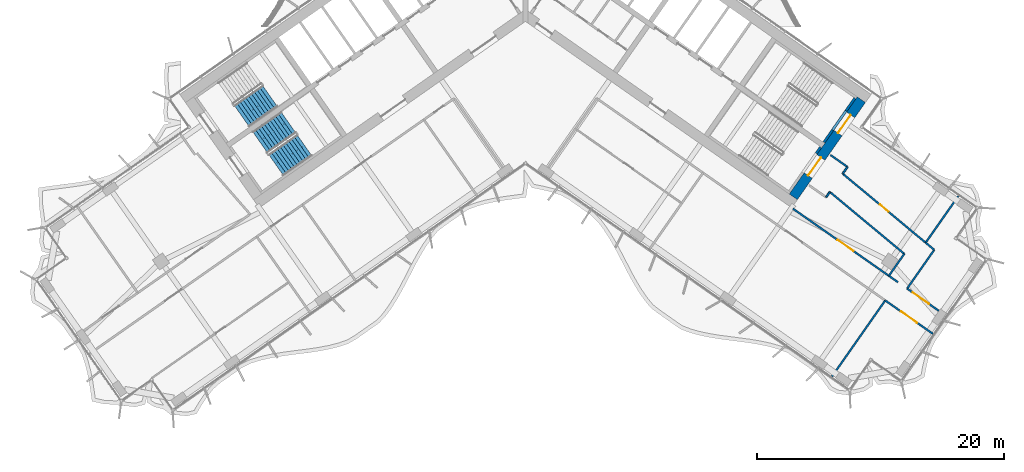
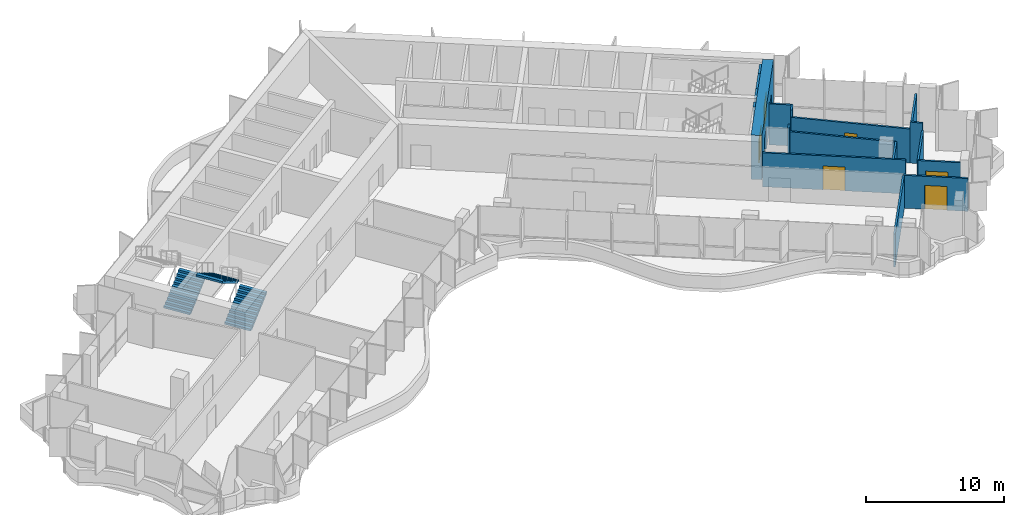
# One storey, part 15 of 21: 18 walls, 6 doors, 3 stair flights, 6 openings, 2 elements without a shape of their own.
"""IFC4 building model written with IfcOpenShell, lengths in metres."""

from ifc_helpers import new_model, si_unit, direction, frame, frame_2d, origin, place, context, subcontext, project, spatial, polyline, rectangle, outline, extrude, material, layer, layer_set, type_object, element, fill, aggregate, save


model = new_model("IFC4")

# Units and contexts
model_context = context("Model", 3, precision=1e-05, world=origin(), true_north=direction((0.0, 1.0)))
body_context = subcontext(model_context, "Body", "Model", "MODEL_VIEW")
ifc_project = project(units=[si_unit("LENGTHUNIT", "METRE"), si_unit("AREAUNIT", "SQUARE_METRE"), si_unit("VOLUMEUNIT", "CUBIC_METRE"), si_unit("PLANEANGLEUNIT", "RADIAN"), si_unit("MASSUNIT", "GRAM", prefix="KILO")], contexts=[model_context])

# Site, building, storey
site_placement = place(None, origin())
site = spatial("IfcSite", under=ifc_project, at=site_placement, CompositionType="ELEMENT")
building_placement = place(site_placement, origin())
building = spatial("IfcBuilding", under=site, at=building_placement, Name="Tel Ilan Convention Tower", CompositionType="ELEMENT")
storey_placement = place(building_placement, frame((0.0, 0.0, 155.39990234375)))
storey = spatial("IfcBuildingStorey", under=building, at=storey_placement, Name="L35", CompositionType="ELEMENT", Elevation=155.39990234375)

# Wall, openings, doors
ifc_material_1 = material(Name="Concrete C50/60", Category="concrete")
ifc_layer_1 = layer(ifc_material_1, 0.800048828125)
ifc_layer_set_1 = layer_set([ifc_layer_1], Name="Core Shear Wall 800 mm C50/60")
wall_type_1 = type_object("IfcWallType", Name="Core Shear Wall 800 mm C50/60", PredefinedType="SHEAR", material=ifc_layer_set_1)
wall_1_placement = place(storey_placement, frame((21.6748046875, -15.4208984375, 0.0), z_axis=(0.0, 0.0, 1.0), x_axis=(0.573581815061, 0.819148278049, 0.0)))
wall_1 = element("IfcWall", 1, at=wall_1_placement, inside=storey, type_object=wall_type_1, Name="L35 core wall E-end", PredefinedType="SHEAR", context=body_context, shape_type="SweptSolid", body=[
    extrude(outline(polyline([(9.599853515625, 0.400146484375), (0.0, 0.39990234375), (0.0, -0.39990234375), (9.599853515625, -0.39990234375), (9.599853515625, 0.400146484375)])), origin(), (0.0, 0.0, 1.0), 3.900146484375),
])
opening_1_placement = place(wall_1_placement, frame((6.300048828125, 0.0, 0.0)))
opening_1 = element("IfcOpeningElement", 2, at=opening_1_placement, cuts=wall_1, Name="Opening SD2703", PredefinedType="OPENING", context=body_context, shape_type="SweptSolid", body=[
    extrude(rectangle(XDim=1.800048828125, YDim=2.10009765625, at=frame_2d((0.89990234375, 1.050048828125))), frame((0.0, 0.409912109375, 0.0), z_axis=(0.0, -1.0, 0.0), x_axis=(1.0, 0.0, 0.0)), (0.0, 0.0, 1.0), 0.820068359375),
])
opening_2_placement = place(wall_1_placement, frame((2.10009765625, 0.0, 0.0)))
opening_2 = element("IfcOpeningElement", 3, at=opening_2_placement, cuts=wall_1, Name="Opening SD2704", PredefinedType="OPENING", context=body_context, shape_type="SweptSolid", body=[
    extrude(rectangle(XDim=1.800048828125, YDim=2.10009765625, at=frame_2d((0.89990234375, 1.050048828125))), frame((0.0, 0.409912109375, 0.0), z_axis=(0.0, -1.0, 0.0), x_axis=(1.0, 0.0, 0.0)), (0.0, 0.0, 1.0), 0.820068359375),
])
ifc_material_2 = material(Name="Galvanised Steel Door Leaf", Category="steel")
door_type_1 = type_object("IfcDoorType", Name="Stair Fire Door 1800 x 2100 FD60S", OperationType="NOTDEFINED", PredefinedType="DOOR", material=ifc_material_2)
door_1_placement = place(opening_1_placement, origin())
door_1 = element("IfcDoor", 4, at=door_1_placement, inside=storey, type_object=door_type_1, Name="Stair S3 door", OperationType="DOUBLE_DOOR_SINGLE_SWING", OverallHeight=2.10009765625, OverallWidth=1.800048828125, PredefinedType="DOOR", context=body_context, shape_type="SweptSolid", body=[
    extrude(rectangle(XDim=1.800048828125, YDim=2.10009765625, at=frame_2d((0.89990234375, 1.050048828125))), frame((0.0, 0.02490234375, 0.0), z_axis=(0.0, -1.0, 0.0), x_axis=(1.0, 0.0, 0.0)), (0.0, 0.0, 1.0), 0.050048828125),
])
fill(opening_1, door_1)
door_2_placement = place(opening_2_placement, origin())
door_2 = element("IfcDoor", 5, at=door_2_placement, inside=storey, type_object=door_type_1, Name="Stair S4 door", OperationType="DOUBLE_DOOR_SINGLE_SWING", OverallHeight=2.10009765625, OverallWidth=1.800048828125, PredefinedType="DOOR", context=body_context, shape_type="SweptSolid", body=[
    extrude(rectangle(XDim=1.800048828125, YDim=2.10009765625, at=frame_2d((0.89990234375, 1.050048828125))), frame((0.0, 0.02490234375, 0.0), z_axis=(0.0, -1.0, 0.0), x_axis=(1.0, 0.0, 0.0)), (0.0, 0.0, 1.0), 0.050048828125),
])
fill(opening_2, door_2)

# Wall, opening, door
ifc_material_3 = material(Name="Plasterboard on Steel Studs", Category="steel")
ifc_layer_2 = layer(ifc_material_3, 0.14990234375)
ifc_layer_set_2 = layer_set([ifc_layer_2], Name="Fire-rated Partition 150 EI 60")
wall_type_2 = type_object("IfcWallType", Name="Fire-rated Partition 150 EI 60", PredefinedType="PARTITIONING", material=ifc_layer_set_2)
wall_2_placement = place(storey_placement, frame((21.641845703125, -16.37451171875, 0.0), z_axis=(0.0, 0.0, 1.0), x_axis=(0.81915236897, -0.573575972658, 0.0)))
wall_2 = element("IfcWall", 6, at=wall_2_placement, inside=storey, type_object=wall_type_2, Name="Partition 001", PredefinedType="PARTITIONING", context=body_context, shape_type="SweptSolid", body=[
    extrude(rectangle(XDim=10.3818359375, YDim=0.14990234375, at=frame_2d((5.19091796875, 0.0))), origin(), (0.0, 0.0, 1.0), 3.0),
])
opening_3_placement = place(wall_2_placement, frame((4.39111328125, 0.0, 0.0)))
opening_3 = element("IfcOpeningElement", 7, at=opening_3_placement, cuts=wall_2, Name="Opening L33-012", PredefinedType="OPENING", context=body_context, shape_type="SweptSolid", body=[
    extrude(rectangle(XDim=1.60009765625, YDim=2.10009765625, at=frame_2d((0.800048828125, 1.050048828125))), frame((0.0, 0.0849609375, 0.0), z_axis=(0.0, -1.0, 0.0), x_axis=(1.0, 0.0, 0.0)), (0.0, 0.0, 1.0), 0.169921875),
])
ifc_material_4 = material(Name="Timber Door Leaf in Steel Frame", Category="steel")
door_type_2 = type_object("IfcDoorType", Name="Tenant Suite Entrance Fire Door 1600x2100", OperationType="NOTDEFINED", PredefinedType="DOOR", material=ifc_material_4)
door_3_placement = place(opening_3_placement, origin())
door_3 = element("IfcDoor", 8, at=door_3_placement, inside=storey, type_object=door_type_2, Name="Door L33-012", OperationType="DOUBLE_DOOR_SINGLE_SWING", OverallHeight=2.10009765625, OverallWidth=1.60009765625, PredefinedType="DOOR", context=body_context, shape_type="SweptSolid", body=[
    extrude(rectangle(XDim=1.60009765625, YDim=2.10009765625, at=frame_2d((0.800048828125, 1.050048828125))), frame((0.0, 0.02490234375, 0.0), z_axis=(0.0, -1.0, 0.0), x_axis=(1.0, 0.0, 0.0)), (0.0, 0.0, 1.0), 0.050048828125),
])
fill(opening_3, door_3)

wall_3_placement = place(storey_placement, frame((30.880126953125, -22.84326171875, 0.0), z_axis=(0.0, 0.0, 1.0), x_axis=(0.819133037421, -0.573603580015, 0.0)))
wall_3 = element("IfcWall", 9, at=wall_3_placement, inside=storey, type_object=wall_type_2, Name="Partition 002", PredefinedType="PARTITIONING", context=body_context, shape_type="SweptSolid", body=[
    extrude(rectangle(XDim=3.132080078125, YDim=0.14990234375, at=frame_2d((1.56591796875, 0.0))), origin(), (0.0, 0.0, 1.0), 3.0),
])
opening_4_placement = place(wall_3_placement, frame((0.56591796875, 0.0, 0.0)))
opening_4 = element("IfcOpeningElement", 10, at=opening_4_placement, cuts=wall_3, Name="Opening L33-013", PredefinedType="OPENING", context=body_context, shape_type="SweptSolid", body=[
    extrude(rectangle(XDim=1.60009765625, YDim=2.10009765625, at=frame_2d((0.800048828125, 1.050048828125))), frame((0.0, 0.0849609375, 0.0), z_axis=(0.0, -1.0, 0.0), x_axis=(1.0, 0.0, 0.0)), (0.0, 0.0, 1.0), 0.169921875),
])
door_4_placement = place(opening_4_placement, origin())
door_4 = element("IfcDoor", 11, at=door_4_placement, inside=storey, type_object=door_type_2, Name="Door L33-013", OperationType="DOUBLE_DOOR_SINGLE_SWING", OverallHeight=2.10009765625, OverallWidth=1.60009765625, PredefinedType="DOOR", context=body_context, shape_type="SweptSolid", body=[
    extrude(rectangle(XDim=1.60009765625, YDim=2.10009765625, at=frame_2d((0.800048828125, 1.050048828125))), frame((0.0, 0.02490234375, 0.0), z_axis=(0.0, -1.0, 0.0), x_axis=(1.0, 0.0, 0.0)), (0.0, 0.0, 1.0), 0.050048828125),
])
fill(opening_4, door_4)

wall_4_placement = place(storey_placement, frame((32.962158203125, -26.49853515625, 0.0), z_axis=(0.0, 0.0, 1.0), x_axis=(-0.819139214842, 0.573594758263, 0.0)))
wall_4 = element("IfcWall", 12, at=wall_4_placement, inside=storey, type_object=wall_type_2, Name="Partition 005", PredefinedType="PARTITIONING", context=body_context, shape_type="SweptSolid", body=[
    extrude(rectangle(XDim=4.701904296875, YDim=0.14990234375, at=frame_2d((2.35107421875, 0.0))), origin(), (0.0, 0.0, 1.0), 2.900146484375),
])
opening_5_placement = place(wall_4_placement, frame((1.551025390625, 0.0, 0.0)))
opening_5 = element("IfcOpeningElement", 13, at=opening_5_placement, cuts=wall_4, Name="Opening L33-011", PredefinedType="OPENING", context=body_context, shape_type="SweptSolid", body=[
    extrude(rectangle(XDim=1.60009765625, YDim=2.10009765625, at=frame_2d((0.800048828125, 1.050048828125))), frame((0.0, 0.0849609375, 0.0), z_axis=(0.0, -1.0, 0.0), x_axis=(1.0, 0.0, 0.0)), (0.0, 0.0, 1.0), 0.169921875),
])
door_5_placement = place(opening_5_placement, origin())
door_5 = element("IfcDoor", 14, at=door_5_placement, inside=storey, type_object=door_type_2, Name="Door L33-011", OperationType="DOUBLE_DOOR_SINGLE_SWING", OverallHeight=2.10009765625, OverallWidth=1.60009765625, PredefinedType="DOOR", context=body_context, shape_type="SweptSolid", body=[
    extrude(rectangle(XDim=1.60009765625, YDim=2.10009765625, at=frame_2d((0.800048828125, 1.050048828125))), frame((0.0, 0.02490234375, 0.0), z_axis=(0.0, -1.0, 0.0), x_axis=(1.0, 0.0, 0.0)), (0.0, 0.0, 1.0), 0.050048828125),
])
fill(opening_5, door_5)

# Wall
wall_5_placement = place(storey_placement, frame((35.02001953125, -15.365478515625, 0.0), z_axis=(0.0, 0.0, 1.0), x_axis=(-0.573604943476, -0.819132082646, 0.0)))
element("IfcWall", 15, at=wall_5_placement, inside=storey, type_object=wall_type_2, Name="Partition 012", PredefinedType="PARTITIONING", context=body_context, shape_type="SweptSolid", body=[
    extrude(rectangle(XDim=4.595947265625, YDim=0.14990234375, at=frame_2d((2.2978515625, 0.0))), origin(), (0.0, 0.0, 1.0), 2.900146484375),
])

# Wall, opening, door
wall_6_placement = place(storey_placement, frame((32.3837890625, -19.130126953125, 0.0), z_axis=(0.0, 0.0, 1.0), x_axis=(-0.768750532262, 0.639548762134, 0.0)))
wall_6 = element("IfcWall", 16, at=wall_6_placement, inside=storey, type_object=wall_type_2, Name="Partition 013", PredefinedType="PARTITIONING", context=body_context, shape_type="SweptSolid", body=[
    extrude(rectangle(XDim=8.72998046875, YDim=0.14990234375, at=frame_2d((4.364990234375, 0.0))), origin(), (0.0, 0.0, 1.0), 3.0),
])
opening_6_placement = place(wall_6_placement, frame((3.9150390625, 0.0, 0.0)))
opening_6 = element("IfcOpeningElement", 17, at=opening_6_placement, cuts=wall_6, Name="Opening L33-014", PredefinedType="OPENING", context=body_context, shape_type="SweptSolid", body=[
    extrude(rectangle(XDim=0.89990234375, YDim=2.10009765625, at=frame_2d((0.449951171875, 1.050048828125))), frame((0.0, 0.0849609375, 0.0), z_axis=(0.0, -1.0, 0.0), x_axis=(1.0, 0.0, 0.0)), (0.0, 0.0, 1.0), 0.169921875),
])
ifc_material_5 = material(Name="Timber Door Leaf in Steel Frame", Category="steel")
door_type_3 = type_object("IfcDoorType", Name="Room Fire Door 900x2100", OperationType="NOTDEFINED", PredefinedType="DOOR", material=ifc_material_5)
door_6_placement = place(opening_6_placement, origin())
door_6 = element("IfcDoor", 18, at=door_6_placement, inside=storey, type_object=door_type_3, Name="Door L33-014", OperationType="SINGLE_SWING_RIGHT", OverallHeight=2.10009765625, OverallWidth=0.89990234375, PredefinedType="DOOR", context=body_context, shape_type="SweptSolid", body=[
    extrude(rectangle(XDim=0.89990234375, YDim=2.10009765625, at=frame_2d((0.449951171875, 1.050048828125))), frame((0.0, 0.02490234375, 0.0), z_axis=(0.0, -1.0, 0.0), x_axis=(1.0, 0.0, 0.0)), (0.0, 0.0, 1.0), 0.050048828125),
])
fill(opening_6, door_6)

# Walls
wall_7_placement = place(storey_placement, frame((25.672607421875, -13.546875, 0.0), z_axis=(0.0, 0.0, 1.0), x_axis=(0.573511127478, 0.819197770175, 0.0)))
element("IfcWall", 19, at=wall_7_placement, inside=storey, type_object=wall_type_2, Name="Partition 014", PredefinedType="PARTITIONING", context=body_context, shape_type="SweptSolid", body=[
    extrude(rectangle(XDim=0.671630859375, YDim=0.14990234375, at=frame_2d((0.3359375, 0.0))), origin(), (0.0, 0.0, 1.0), 3.6201171875),
])
wall_8_placement = place(storey_placement, frame((26.057861328125, -12.99658203125, 0.0), z_axis=(0.0, 0.0, 1.0), x_axis=(-0.819109000826, 0.573637903879, 0.0)))
element("IfcWall", 20, at=wall_8_placement, inside=storey, type_object=wall_type_2, Name="Partition 015", PredefinedType="PARTITIONING", context=body_context, shape_type="SweptSolid", body=[
    extrude(rectangle(XDim=1.679931640625, YDim=0.14990234375, at=frame_2d((0.83984375, 0.0))), origin(), (0.0, 0.0, 1.0), 3.6201171875),
])
wall_9_placement = place(storey_placement, frame((24.337158203125, -15.4541015625, 0.0), z_axis=(0.0, 0.0, 1.0), x_axis=(0.573870335358, 0.818946175396, 0.0)))
element("IfcWall", 21, at=wall_9_placement, inside=storey, type_object=wall_type_2, Name="Partition 017", PredefinedType="PARTITIONING", context=body_context, shape_type="SweptSolid", body=[
    extrude(rectangle(XDim=0.52197265625, YDim=0.14990234375, at=frame_2d((0.260986328125, 0.0))), origin(), (0.0, 0.0, 1.0), 3.6201171875),
])
wall_10_placement = place(storey_placement, frame((24.63671875, -15.026611328125, 0.0), z_axis=(0.0, 0.0, 1.0), x_axis=(0.768763032688, -0.639533736071, 0.0)))
element("IfcWall", 22, at=wall_10_placement, inside=storey, type_object=wall_type_2, Name="Partition 018", PredefinedType="PARTITIONING", context=body_context, shape_type="SweptSolid", body=[
    extrude(rectangle(XDim=7.826904296875, YDim=0.14990234375, at=frame_2d((3.91357421875, 0.0))), origin(), (0.0, 0.0, 1.0), 3.0),
])
wall_11_placement = place(storey_placement, frame((30.65380859375, -20.0322265625, 0.0), z_axis=(0.0, 0.0, 1.0), x_axis=(-0.573613157475, -0.819126330655, 0.0)))
element("IfcWall", 23, at=wall_11_placement, inside=storey, type_object=wall_type_2, Name="Partition 019", PredefinedType="PARTITIONING", context=body_context, shape_type="SweptSolid", body=[
    extrude(rectangle(XDim=2.1728515625, YDim=0.14990234375, at=frame_2d((1.08642578125, 0.0))), origin(), (0.0, 0.0, 1.0), 3.0),
])
wall_12_placement = place(storey_placement, frame((30.8818359375, -22.844482421875, 0.0), z_axis=(0.0, 0.0, 1.0), x_axis=(0.573565036961, 0.819160026109, 0.0)))
element("IfcWall", 24, at=wall_12_placement, inside=storey, type_object=wall_type_2, Name="Partition 021", PredefinedType="PARTITIONING", context=body_context, shape_type="SweptSolid", body=[
    extrude(rectangle(XDim=3.8291015625, YDim=0.14990234375, at=frame_2d((1.91455078125, 0.0))), origin(), (0.0, 0.0, 1.0), 3.0),
])
wall_13_placement = place(storey_placement, frame((33.078125, -19.707763671875, 0.0), z_axis=(0.0, 0.0, 1.0), x_axis=(-0.768752765825, 0.639546077336, 0.0)))
element("IfcWall", 25, at=wall_13_placement, inside=storey, type_object=wall_type_2, Name="Partition 022", PredefinedType="PARTITIONING", context=body_context, shape_type="SweptSolid", body=[
    extrude(rectangle(XDim=0.903076171875, YDim=0.14990234375, at=frame_2d((0.45166015625, 0.0))), origin(), (0.0, 0.0, 1.0), 3.6201171875),
])
wall_14_placement = place(storey_placement, frame((29.1123046875, -23.802734375, 0.0), z_axis=(0.0, 0.0, 1.0), x_axis=(-0.573597787563, -0.819137093595, 0.0)))
element("IfcWall", 26, at=wall_14_placement, inside=storey, type_object=wall_type_2, Name="Partition 028", PredefinedType="PARTITIONING", context=body_context, shape_type="SweptSolid", body=[
    extrude(rectangle(XDim=7.5, YDim=0.14990234375, at=frame_2d((3.75, 0.0))), origin(), (0.0, 0.0, 1.0), 2.900146484375),
])
ifc_material_6 = material(Name="Concrete C30/37", Category="concrete")
ifc_layer_3 = layer(ifc_material_6, 0.199951171875)
ifc_layer_set_3 = layer_set([ifc_layer_3], Name="Stair and Shaft Lining Wall 200 mm C30/37")
wall_type_3 = type_object("IfcWallType", Name="Stair and Shaft Lining Wall 200 mm C30/37", PredefinedType="SOLIDWALL", material=ifc_layer_set_3)
wall_15_placement = place(storey_placement, frame((24.16162109375, -10.99755859375, 0.0), z_axis=(0.0, 0.0, 1.0), x_axis=(0.573612502218, 0.819126789514, 0.0)))
element("IfcWall", 27, at=wall_15_placement, inside=storey, type_object=wall_type_3, Name="L35 core wall lining-S3-u1-0", PredefinedType="SOLIDWALL", context=body_context, shape_type="SweptSolid", body=[
    extrude(rectangle(XDim=1.2001953125, YDim=0.199951171875, at=frame_2d((0.60009765625, 0.0))), origin(), (0.0, 0.0, 1.0), 3.6201171875),
])
wall_16_placement = place(storey_placement, frame((25.939697265625, -8.4580078125, 0.0), z_axis=(0.0, 0.0, 1.0), x_axis=(0.573619628835, 0.819121798889, 0.0)))
element("IfcWall", 28, at=wall_16_placement, inside=storey, type_object=wall_type_3, Name="L35 core wall lining-S3-u1-1", PredefinedType="SOLIDWALL", context=body_context, shape_type="SweptSolid", body=[
    extrude(rectangle(XDim=1.25, YDim=0.199951171875, at=frame_2d((0.625, 0.0))), origin(), (0.0, 0.0, 1.0), 3.6201171875),
])
wall_17_placement = place(storey_placement, frame((24.85009765625, -10.014404296875, 2.150146484375), z_axis=(0.0, 0.0, 1.0), x_axis=(0.573505465124, 0.819201734296, 0.0)))
element("IfcWall", 29, at=wall_17_placement, inside=storey, type_object=wall_type_3, Name="L35 core wall lining-S3-u1-lintel", PredefinedType="SOLIDWALL", context=body_context, shape_type="SweptSolid", body=[
    extrude(rectangle(XDim=1.89990234375, YDim=0.199951171875, at=frame_2d((0.949951171875, 0.0))), origin(), (0.0, 0.0, 1.0), 1.469970703125),
])
wall_18_placement = place(storey_placement, frame((23.53076171875, -11.8984375, 0.0), z_axis=(0.0, 0.0, 1.0), x_axis=(0.573708088123, 0.819059844958, 0.0)))
element("IfcWall", 30, at=wall_18_placement, inside=storey, type_object=wall_type_3, Name="L35 core wall lining-S4-u1-1", PredefinedType="SOLIDWALL", context=body_context, shape_type="SweptSolid", body=[
    extrude(rectangle(XDim=0.60009765625, YDim=0.199951171875, at=frame_2d((0.300048828125, 0.0))), origin(), (0.0, 0.0, 1.0), 3.6201171875),
])

# Stair, stair flight
ifc_material_7 = material(Name="Concrete C40/50", Category="concrete")
stair_type = type_object("IfcStairType", Name="Pressurised Exit Stair 22 risers 177 mm", PredefinedType="HALF_TURN_STAIR", material=ifc_material_7)
stair_1_placement = place(storey_placement, origin())
stair_1 = element("IfcStair", 31, at=stair_1_placement, inside=storey, type_object=stair_type, Name="L35 Pressurised Stair S1", PredefinedType="HALF_TURN_STAIR")
ifc_material_8 = material(Name="Precast Concrete C40/50", Category="concrete")
stair_flight_type = type_object("IfcStairFlightType", Name="Concrete Stair Flight 2100 mm 22 risers 177 mm", PredefinedType="STRAIGHT", material=ifc_material_8)
stair_flight_1_placement = place(storey_placement, frame((-22.9619140625, -8.87548828125, 0.0), z_axis=(0.0, 0.0, 1.0), x_axis=(0.819152044289, 0.573576436351, 0.0)))
stair_flight_1 = element("IfcStairFlight", 32, at=stair_flight_1_placement, type_object=stair_flight_type, Name="S1 flight 1", NumberOfRisers=11, NumberOfTreads=10, PredefinedType="STRAIGHT", RiserHeight=0.177272727, TreadLength=0.28, context=body_context, shape_type="SweptSolid", body=[
    extrude(outline(polyline([(0.0, 0.0), (0.0, 0.17724609375), (0.280029296875, 0.17724609375), (0.280029296875, 0.3544921875), (0.56005859375, 0.3544921875), (0.56005859375, 0.53173828125), (0.840087890625, 0.53173828125), (0.840087890625, 0.708984375), (1.1201171875, 0.708984375), (1.1201171875, 0.886474609375), (1.39990234375, 0.886474609375), (1.39990234375, 1.063720703125), (1.679931640625, 1.063720703125), (1.679931640625, 1.240966796875), (1.9599609375, 1.240966796875), (1.9599609375, 1.418212890625), (2.239990234375, 1.418212890625), (2.239990234375, 1.595458984375), (2.52001953125, 1.595458984375), (2.52001953125, 1.772705078125), (2.800048828125, 1.772705078125), (2.800048828125, 1.949951171875), (2.800048828125, 1.59521484375), (0.2802734375, 0.0), (0.0, 0.0)])), frame((0.0, -0.100341796875, 0.0), z_axis=(0.0, -1.0, 0.0), x_axis=(1.0, 0.0, 0.0)), (0.0, 0.0, 1.0), 0.94970703125),
    extrude(outline(polyline([(0.0, 0.0), (0.0, 0.17724609375), (0.280029296875, 0.17724609375), (0.280029296875, 0.3544921875), (0.56005859375, 0.3544921875), (0.56005859375, 0.53173828125), (0.840087890625, 0.53173828125), (0.840087890625, 0.708984375), (1.1201171875, 0.708984375), (1.1201171875, 0.886474609375), (1.39990234375, 0.886474609375), (1.39990234375, 1.063720703125), (1.679931640625, 1.063720703125), (1.679931640625, 1.240966796875), (1.9599609375, 1.240966796875), (1.9599609375, 1.418212890625), (2.239990234375, 1.418212890625), (2.239990234375, 1.595458984375), (2.52001953125, 1.595458984375), (2.52001953125, 1.772705078125), (2.800048828125, 1.772705078125), (2.800048828125, 1.949951171875), (2.800048828125, 1.59521484375), (0.2802734375, 0.0), (0.0, 0.0)])), frame((0.0, -0.000244140625, 0.0), z_axis=(0.0, -1.0, 0.0), x_axis=(1.0, 0.0, 0.0)), (0.0, 0.0, 1.0), 0.099609375),
    extrude(outline(polyline([(0.0, 0.0), (0.0, 0.17724609375), (0.280029296875, 0.17724609375), (0.280029296875, 0.3544921875), (0.56005859375, 0.3544921875), (0.56005859375, 0.53173828125), (0.840087890625, 0.53173828125), (0.840087890625, 0.708984375), (1.1201171875, 0.708984375), (1.1201171875, 0.886474609375), (1.39990234375, 0.886474609375), (1.39990234375, 1.063720703125), (1.679931640625, 1.063720703125), (1.679931640625, 1.240966796875), (1.9599609375, 1.240966796875), (1.9599609375, 1.418212890625), (2.239990234375, 1.418212890625), (2.239990234375, 1.595458984375), (2.52001953125, 1.595458984375), (2.52001953125, 1.772705078125), (2.800048828125, 1.772705078125), (2.800048828125, 1.949951171875), (2.800048828125, 1.59521484375), (0.2802734375, 0.0), (0.0, 0.0)])), frame((0.0, 0.099853515625, 0.0), z_axis=(0.0, -1.0, 0.0), x_axis=(1.0, 0.0, 0.0)), (0.0, 0.0, 1.0), 0.099609375),
    extrude(outline(polyline([(0.0, 0.0), (0.0, 0.17724609375), (0.280029296875, 0.17724609375), (0.280029296875, 0.3544921875), (0.56005859375, 0.3544921875), (0.56005859375, 0.53173828125), (0.840087890625, 0.53173828125), (0.840087890625, 0.708984375), (1.1201171875, 0.708984375), (1.1201171875, 0.886474609375), (1.39990234375, 0.886474609375), (1.39990234375, 1.063720703125), (1.679931640625, 1.063720703125), (1.679931640625, 1.240966796875), (1.9599609375, 1.240966796875), (1.9599609375, 1.418212890625), (2.239990234375, 1.418212890625), (2.239990234375, 1.595458984375), (2.52001953125, 1.595458984375), (2.52001953125, 1.772705078125), (2.800048828125, 1.772705078125), (2.800048828125, 1.949951171875), (2.800048828125, 1.59521484375), (0.2802734375, 0.0), (0.0, 0.0)])), frame((0.0, 1.050048828125, 0.0), z_axis=(0.0, -1.0, 0.0), x_axis=(1.0, 0.0, 0.0)), (0.0, 0.0, 1.0), 0.94970703125),
])
aggregate(stair_1, [stair_flight_1])

# Stair, stair flights
stair_2_placement = place(storey_placement, origin())
stair_2 = element("IfcStair", 33, at=stair_2_placement, inside=storey, type_object=stair_type, Name="L35 Pressurised Stair S2", PredefinedType="HALF_TURN_STAIR")
stair_flight_2_placement = place(storey_placement, frame((-20.179931640625, -12.848388671875, 0.0), z_axis=(0.0, 0.0, 1.0), x_axis=(0.819152044289, 0.573576436351, 0.0)))
stair_flight_2 = element("IfcStairFlight", 34, at=stair_flight_2_placement, type_object=stair_flight_type, Name="S2 flight 1", NumberOfRisers=11, NumberOfTreads=10, PredefinedType="STRAIGHT", RiserHeight=0.177272727, TreadLength=0.28, context=body_context, shape_type="SweptSolid", body=[
    extrude(outline(polyline([(0.0, 0.0), (0.0, 0.17724609375), (0.280029296875, 0.17724609375), (0.280029296875, 0.3544921875), (0.56005859375, 0.3544921875), (0.56005859375, 0.53173828125), (0.840087890625, 0.53173828125), (0.840087890625, 0.708984375), (1.1201171875, 0.708984375), (1.1201171875, 0.886474609375), (1.39990234375, 0.886474609375), (1.39990234375, 1.063720703125), (1.679931640625, 1.063720703125), (1.679931640625, 1.240966796875), (1.9599609375, 1.240966796875), (1.9599609375, 1.418212890625), (2.239990234375, 1.418212890625), (2.239990234375, 1.595458984375), (2.52001953125, 1.595458984375), (2.52001953125, 1.772705078125), (2.800048828125, 1.772705078125), (2.800048828125, 1.949951171875), (2.800048828125, 1.59521484375), (0.2802734375, 0.0), (0.0, 0.0)])), frame((0.0, -0.100341796875, 0.0), z_axis=(0.0, -1.0, 0.0), x_axis=(1.0, 0.0, 0.0)), (0.0, 0.0, 1.0), 0.94970703125),
    extrude(outline(polyline([(0.0, 0.0), (0.0, 0.17724609375), (0.280029296875, 0.17724609375), (0.280029296875, 0.3544921875), (0.56005859375, 0.3544921875), (0.56005859375, 0.53173828125), (0.840087890625, 0.53173828125), (0.840087890625, 0.708984375), (1.1201171875, 0.708984375), (1.1201171875, 0.886474609375), (1.39990234375, 0.886474609375), (1.39990234375, 1.063720703125), (1.679931640625, 1.063720703125), (1.679931640625, 1.240966796875), (1.9599609375, 1.240966796875), (1.9599609375, 1.418212890625), (2.239990234375, 1.418212890625), (2.239990234375, 1.595458984375), (2.52001953125, 1.595458984375), (2.52001953125, 1.772705078125), (2.800048828125, 1.772705078125), (2.800048828125, 1.949951171875), (2.800048828125, 1.59521484375), (0.2802734375, 0.0), (0.0, 0.0)])), frame((0.0, -0.000244140625, 0.0), z_axis=(0.0, -1.0, 0.0), x_axis=(1.0, 0.0, 0.0)), (0.0, 0.0, 1.0), 0.099609375),
    extrude(outline(polyline([(0.0, 0.0), (0.0, 0.17724609375), (0.280029296875, 0.17724609375), (0.280029296875, 0.3544921875), (0.56005859375, 0.3544921875), (0.56005859375, 0.53173828125), (0.840087890625, 0.53173828125), (0.840087890625, 0.708984375), (1.1201171875, 0.708984375), (1.1201171875, 0.886474609375), (1.39990234375, 0.886474609375), (1.39990234375, 1.063720703125), (1.679931640625, 1.063720703125), (1.679931640625, 1.240966796875), (1.9599609375, 1.240966796875), (1.9599609375, 1.418212890625), (2.239990234375, 1.418212890625), (2.239990234375, 1.595458984375), (2.52001953125, 1.595458984375), (2.52001953125, 1.772705078125), (2.800048828125, 1.772705078125), (2.800048828125, 1.949951171875), (2.800048828125, 1.59521484375), (0.2802734375, 0.0), (0.0, 0.0)])), frame((0.0, 0.099853515625, 0.0), z_axis=(0.0, -1.0, 0.0), x_axis=(1.0, 0.0, 0.0)), (0.0, 0.0, 1.0), 0.099609375),
    extrude(outline(polyline([(0.0, 0.0), (0.0, 0.17724609375), (0.280029296875, 0.17724609375), (0.280029296875, 0.3544921875), (0.56005859375, 0.3544921875), (0.56005859375, 0.53173828125), (0.840087890625, 0.53173828125), (0.840087890625, 0.708984375), (1.1201171875, 0.708984375), (1.1201171875, 0.886474609375), (1.39990234375, 0.886474609375), (1.39990234375, 1.063720703125), (1.679931640625, 1.063720703125), (1.679931640625, 1.240966796875), (1.9599609375, 1.240966796875), (1.9599609375, 1.418212890625), (2.239990234375, 1.418212890625), (2.239990234375, 1.595458984375), (2.52001953125, 1.595458984375), (2.52001953125, 1.772705078125), (2.800048828125, 1.772705078125), (2.800048828125, 1.949951171875), (2.800048828125, 1.59521484375), (0.2802734375, 0.0), (0.0, 0.0)])), frame((0.0, 1.050048828125, 0.0), z_axis=(0.0, -1.0, 0.0), x_axis=(1.0, 0.0, 0.0)), (0.0, 0.0, 1.0), 0.94970703125),
])
stair_flight_3_placement = place(storey_placement, frame((-19.177001953125, -9.399169921875, 1.9501953125), z_axis=(0.0, 0.0, 1.0), x_axis=(-0.819152044289, -0.573576436351, 0.0)))
stair_flight_3 = element("IfcStairFlight", 35, at=stair_flight_3_placement, type_object=stair_flight_type, Name="S2 flight 2", NumberOfRisers=11, NumberOfTreads=10, PredefinedType="STRAIGHT", RiserHeight=0.177272727, TreadLength=0.28, context=body_context, shape_type="SweptSolid", body=[
    extrude(outline(polyline([(0.0, 0.0), (0.0, 0.17724609375), (0.280029296875, 0.17724609375), (0.280029296875, 0.3544921875), (0.56005859375, 0.3544921875), (0.56005859375, 0.53173828125), (0.840087890625, 0.53173828125), (0.840087890625, 0.708984375), (1.1201171875, 0.708984375), (1.1201171875, 0.886474609375), (1.39990234375, 0.886474609375), (1.39990234375, 1.063720703125), (1.679931640625, 1.063720703125), (1.679931640625, 1.240966796875), (1.9599609375, 1.240966796875), (1.9599609375, 1.418212890625), (2.239990234375, 1.418212890625), (2.239990234375, 1.595458984375), (2.52001953125, 1.595458984375), (2.52001953125, 1.772705078125), (2.800048828125, 1.772705078125), (2.800048828125, 1.949951171875), (2.800048828125, 1.59521484375), (0.2802734375, 0.0), (0.0, 0.0)])), frame((0.0, -0.100341796875, 0.0), z_axis=(0.0, -1.0, 0.0), x_axis=(1.0, 0.0, 0.0)), (0.0, 0.0, 1.0), 0.94970703125),
    extrude(outline(polyline([(0.0, 0.0), (0.0, 0.17724609375), (0.280029296875, 0.17724609375), (0.280029296875, 0.3544921875), (0.56005859375, 0.3544921875), (0.56005859375, 0.53173828125), (0.840087890625, 0.53173828125), (0.840087890625, 0.708984375), (1.1201171875, 0.708984375), (1.1201171875, 0.886474609375), (1.39990234375, 0.886474609375), (1.39990234375, 1.063720703125), (1.679931640625, 1.063720703125), (1.679931640625, 1.240966796875), (1.9599609375, 1.240966796875), (1.9599609375, 1.418212890625), (2.239990234375, 1.418212890625), (2.239990234375, 1.595458984375), (2.52001953125, 1.595458984375), (2.52001953125, 1.772705078125), (2.800048828125, 1.772705078125), (2.800048828125, 1.949951171875), (2.800048828125, 1.59521484375), (0.2802734375, 0.0), (0.0, 0.0)])), frame((0.0, -0.000244140625, 0.0), z_axis=(0.0, -1.0, 0.0), x_axis=(1.0, 0.0, 0.0)), (0.0, 0.0, 1.0), 0.099609375),
    extrude(outline(polyline([(0.0, 0.0), (0.0, 0.17724609375), (0.280029296875, 0.17724609375), (0.280029296875, 0.3544921875), (0.56005859375, 0.3544921875), (0.56005859375, 0.53173828125), (0.840087890625, 0.53173828125), (0.840087890625, 0.708984375), (1.1201171875, 0.708984375), (1.1201171875, 0.886474609375), (1.39990234375, 0.886474609375), (1.39990234375, 1.063720703125), (1.679931640625, 1.063720703125), (1.679931640625, 1.240966796875), (1.9599609375, 1.240966796875), (1.9599609375, 1.418212890625), (2.239990234375, 1.418212890625), (2.239990234375, 1.595458984375), (2.52001953125, 1.595458984375), (2.52001953125, 1.772705078125), (2.800048828125, 1.772705078125), (2.800048828125, 1.949951171875), (2.800048828125, 1.59521484375), (0.2802734375, 0.0), (0.0, 0.0)])), frame((0.0, 0.099853515625, 0.0), z_axis=(0.0, -1.0, 0.0), x_axis=(1.0, 0.0, 0.0)), (0.0, 0.0, 1.0), 0.099609375),
    extrude(outline(polyline([(0.0, 0.0), (0.0, 0.17724609375), (0.280029296875, 0.17724609375), (0.280029296875, 0.3544921875), (0.56005859375, 0.3544921875), (0.56005859375, 0.53173828125), (0.840087890625, 0.53173828125), (0.840087890625, 0.708984375), (1.1201171875, 0.708984375), (1.1201171875, 0.886474609375), (1.39990234375, 0.886474609375), (1.39990234375, 1.063720703125), (1.679931640625, 1.063720703125), (1.679931640625, 1.240966796875), (1.9599609375, 1.240966796875), (1.9599609375, 1.418212890625), (2.239990234375, 1.418212890625), (2.239990234375, 1.595458984375), (2.52001953125, 1.595458984375), (2.52001953125, 1.772705078125), (2.800048828125, 1.772705078125), (2.800048828125, 1.949951171875), (2.800048828125, 1.59521484375), (0.2802734375, 0.0), (0.0, 0.0)])), frame((0.0, 1.050048828125, 0.0), z_axis=(0.0, -1.0, 0.0), x_axis=(1.0, 0.0, 0.0)), (0.0, 0.0, 1.0), 0.94970703125),
])
aggregate(stair_2, [stair_flight_2, stair_flight_3])

save(model, "model.ifc")
